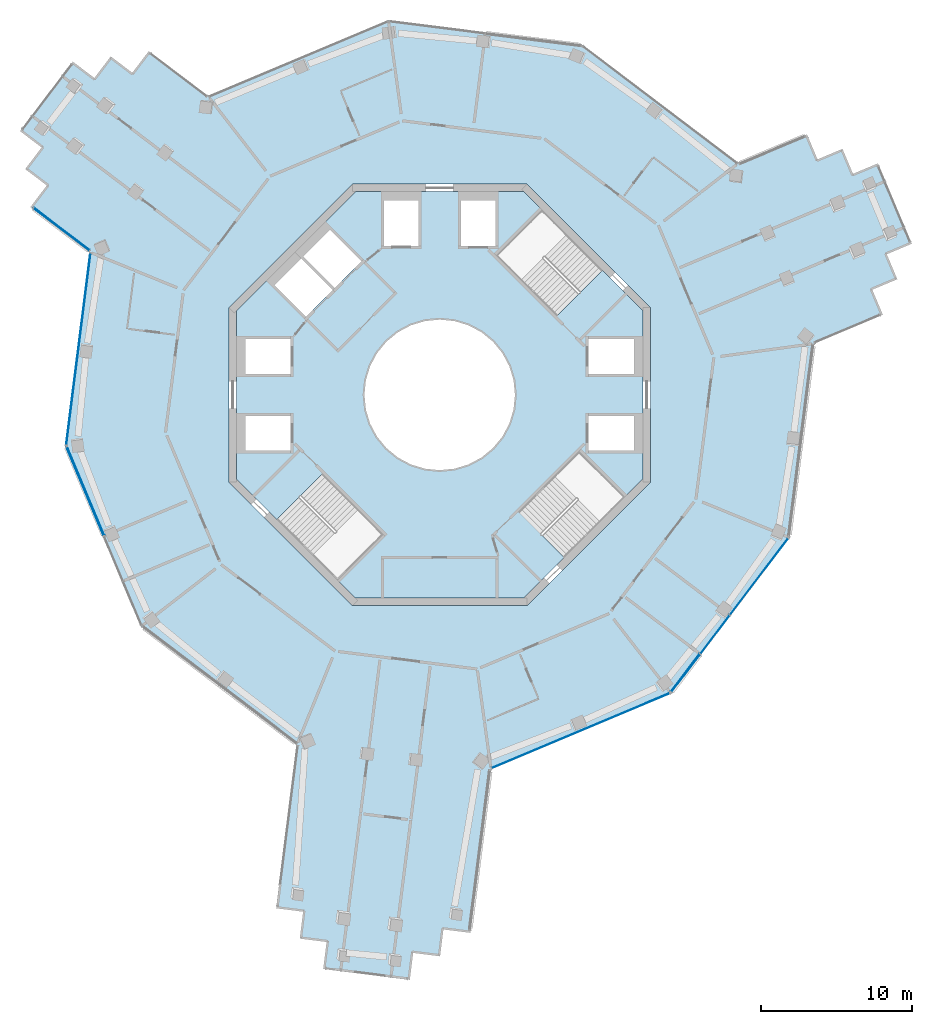
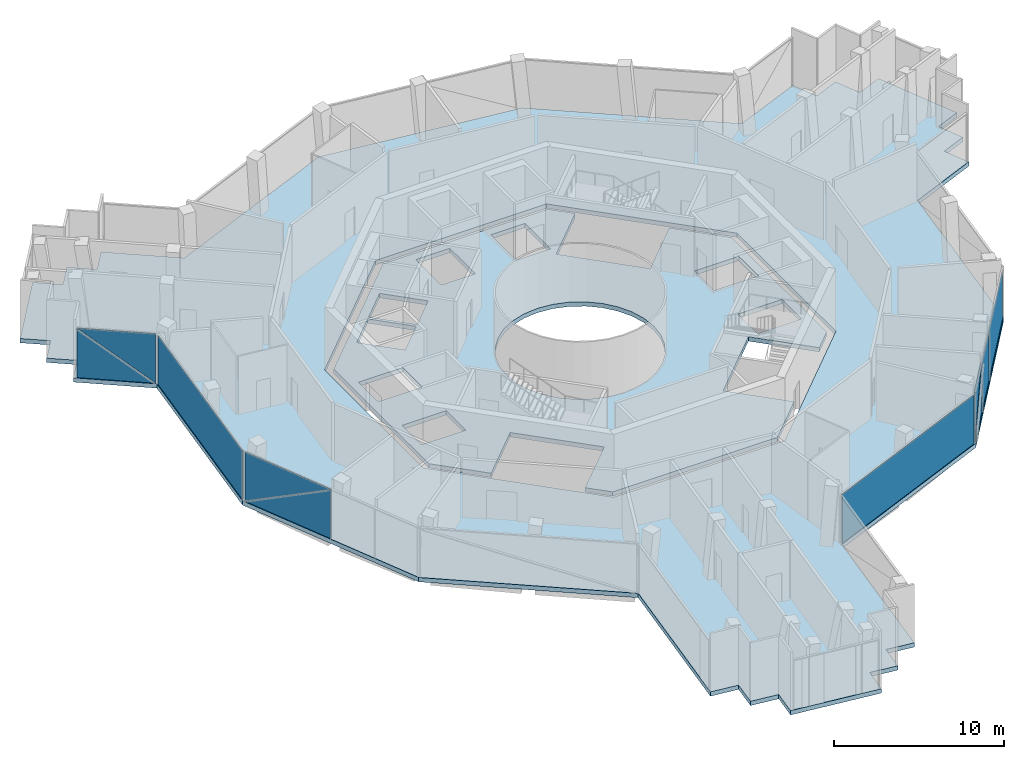
# One storey, part 10 of 18: 10 plates, 2 slabs, 5 elements without a shape of their own.
"""IFC4 building model written with IfcOpenShell, lengths in metres."""

from ifc_helpers import new_model, si_unit, direction, frame, origin, origin_2d, place, context, subcontext, project, spatial, polyline, rectangle, outline, extrude, material, layer, layer_set, type_object, element, aggregate, save


model = new_model("IFC4")

# Units and contexts
model_context = context("Model", 3, precision=1e-05, world=origin(), true_north=direction((0.0, 1.0)))
body_context = subcontext(model_context, "Body", "Model", "MODEL_VIEW")
ifc_project = project(units=[si_unit("LENGTHUNIT", "METRE"), si_unit("AREAUNIT", "SQUARE_METRE"), si_unit("VOLUMEUNIT", "CUBIC_METRE"), si_unit("PLANEANGLEUNIT", "RADIAN"), si_unit("MASSUNIT", "GRAM", prefix="KILO")], contexts=[model_context])

# Site, building, storey
site_placement = place(None, origin())
site = spatial("IfcSite", under=ifc_project, at=site_placement, CompositionType="ELEMENT")
building_placement = place(site_placement, origin())
building = spatial("IfcBuilding", under=site, at=building_placement, Name="Verdalira Terraces Hotel", CompositionType="ELEMENT")
storey_placement = place(building_placement, frame((0.0, 0.0, 248.0)))
storey = spatial("IfcBuildingStorey", under=building, at=storey_placement, Name="L61", CompositionType="ELEMENT", Elevation=248.0)

# Curtain wall, plates
ifc_material_1 = material(Name="Clear glass", Category="glass")
ifc_layer_1 = layer(ifc_material_1, 0.179931640625)
ifc_layer_set_1 = layer_set([ifc_layer_1], Name="CW4 curtain wall")
curtain_wall_type = type_object("IfcCurtainWallType", Name="CW4 curtain wall", PredefinedType="NOTDEFINED", material=ifc_layer_set_1)
curtain_wall_1_placement = place(storey_placement, origin())
curtain_wall_1 = element("IfcCurtainWall", 1, at=curtain_wall_1_placement, inside=storey, type_object=curtain_wall_type, Name="CW4 curtain wall L61 edge 10", PredefinedType="NOTDEFINED")
ifc_material_2 = material(Name="Clear glass", Category="glass")
ifc_layer_2 = layer(ifc_material_2, 0.035888671875)
ifc_layer_set_2 = layer_set([ifc_layer_2], Name="CW4 glass unit 36")
plate_type = type_object("IfcPlateType", Name="CW4 glass unit 36", PredefinedType="CURTAIN_PANEL", material=ifc_layer_set_2)
plate_1_placement = place(storey_placement, frame((-25.122803, 11.006592, 1.76001), z_axis=(-0.604599115, -0.796529918, 0.0), x_axis=(0.796529918, -0.604599115, 0.0)))
plate_1 = element("IfcPlate", 2, at=plate_1_placement, type_object=plate_type, Name="CW4 glass unit", PredefinedType="CURTAIN_PANEL", context=body_context, shape_type="SweptSolid", body=[
    extrude(outline(polyline([(-2.324707, -1.76001), (2.324707, -1.76001), (-2.324707, 1.76001), (-2.324707, -1.76001)])), origin(), (0.0, 0.0, 1.0), 0.035889),
])
plate_2_placement = place(storey_placement, frame((-25.100342, 11.036133, 1.76001), z_axis=(-0.604599115, -0.796529918, 0.0), x_axis=(0.796529918, -0.604599115, 0.0)))
plate_2 = element("IfcPlate", 3, at=plate_2_placement, type_object=plate_type, Name="CW4 glass unit", PredefinedType="CURTAIN_PANEL", context=body_context, shape_type="SweptSolid", body=[
    extrude(outline(polyline([(2.324707, -1.76001), (2.324707, 1.76001), (-2.324707, 1.76001), (2.324707, -1.76001)])), origin(), (0.0, 0.0, 1.0), 0.035889),
])
aggregate(curtain_wall_1, [plate_1, plate_2])

# Curtain wall, plate
curtain_wall_2_placement = place(storey_placement, origin())
curtain_wall_2 = element("IfcCurtainWall", 4, at=curtain_wall_2_placement, inside=storey, type_object=curtain_wall_type, Name="CW4 curtain wall L61 edge 11", PredefinedType="NOTDEFINED")
plate_3_placement = place(storey_placement, frame((-24.006104, 3.044189, 0.0), z_axis=(0.0, 0.0, 1.0), x_axis=(-0.125333234, -0.992114701, 0.0)))
plate_3 = element("IfcPlate", 5, at=plate_3_placement, type_object=plate_type, Name="CW4 glass unit", PredefinedType="CURTAIN_PANEL", context=body_context, shape_type="SweptSolid", body=[
    extrude(rectangle(XDim=12.8125, YDim=0.035889, at=origin_2d()), origin(), (0.0, 0.0, 1.0), 3.52002),
])
aggregate(curtain_wall_2, [plate_3])

# Curtain wall, plates
curtain_wall_3_placement = place(storey_placement, origin())
curtain_wall_3 = element("IfcCurtainWall", 6, at=curtain_wall_3_placement, inside=storey, type_object=curtain_wall_type, Name="CW4 curtain wall L61 edge 12", PredefinedType="NOTDEFINED")
plate_4_placement = place(storey_placement, frame((-23.536377, -6.407959, 1.76001), z_axis=(-0.921863152, -0.387515586, 0.0), x_axis=(0.387515586, -0.921863152, 0.0)))
plate_4 = element("IfcPlate", 7, at=plate_4_placement, type_object=plate_type, Name="CW4 glass unit", PredefinedType="CURTAIN_PANEL", context=body_context, shape_type="SweptSolid", body=[
    extrude(outline(polyline([(-3.181152, -1.76001), (3.181152, -1.76001), (3.181152, 1.76001), (-3.181152, -1.76001)])), origin(), (0.0, 0.0, 1.0), 0.035889),
])
plate_5_placement = place(storey_placement, frame((-23.502197, -6.393555, 1.76001), z_axis=(-0.921863152, -0.387515586, 0.0), x_axis=(0.387515586, -0.921863152, 0.0)))
plate_5 = element("IfcPlate", 8, at=plate_5_placement, type_object=plate_type, Name="CW4 glass unit", PredefinedType="CURTAIN_PANEL", context=body_context, shape_type="SweptSolid", body=[
    extrude(outline(polyline([(-3.181152, -1.76001), (3.181152, 1.76001), (-3.181152, 1.76001), (-3.181152, -1.76001)])), origin(), (0.0, 0.0, 1.0), 0.035889),
])
aggregate(curtain_wall_3, [plate_4, plate_5])

# Curtain wall, plate
curtain_wall_4_placement = place(storey_placement, origin())
curtain_wall_4 = element("IfcCurtainWall", 9, at=curtain_wall_4_placement, inside=storey, type_object=curtain_wall_type, Name="CW4 curtain wall L61 edge 25", PredefinedType="NOTDEFINED")
plate_6_placement = place(storey_placement, frame((9.366699, -22.312012, 0.0), z_axis=(0.0, 0.0, 1.0), x_axis=(0.921863152, 0.387515586, 0.0)))
plate_6 = element("IfcPlate", 10, at=plate_6_placement, type_object=plate_type, Name="CW4 glass unit", PredefinedType="CURTAIN_PANEL", context=body_context, shape_type="SweptSolid", body=[
    extrude(rectangle(XDim=12.8125, YDim=0.035889, at=origin_2d()), origin(), (0.0, 0.0, 1.0), 3.52002),
])
aggregate(curtain_wall_4, [plate_6])

# Curtain wall, plates
curtain_wall_5_placement = place(storey_placement, origin())
curtain_wall_5 = element("IfcCurtainWall", 11, at=curtain_wall_5_placement, inside=storey, type_object=curtain_wall_type, Name="CW4 curtain wall L61 edge 26", PredefinedType="NOTDEFINED")
plate_7_placement = place(storey_placement, frame((16.334961, -18.473633, 1.76001), z_axis=(0.796529918, -0.604599115, 0.0), x_axis=(0.604599115, 0.796529918, 0.0)))
plate_7 = element("IfcPlate", 12, at=plate_7_placement, type_object=plate_type, Name="CW4 glass unit", PredefinedType="CURTAIN_PANEL", context=body_context, shape_type="SweptSolid", body=[
    extrude(outline(polyline([(-1.556152, -1.76001), (1.556152, -1.76001), (1.556152, 1.76001), (-1.556152, -1.76001)])), origin(), (0.0, 0.0, 1.0), 0.035889),
])
plate_8_placement = place(storey_placement, frame((16.30542, -18.451172, 1.76001), z_axis=(0.796529918, -0.604599115, 0.0), x_axis=(0.604599115, 0.796529918, 0.0)))
plate_8 = element("IfcPlate", 13, at=plate_8_placement, type_object=plate_type, Name="CW4 glass unit", PredefinedType="CURTAIN_PANEL", context=body_context, shape_type="SweptSolid", body=[
    extrude(outline(polyline([(-1.556152, -1.76001), (1.556152, 1.76001), (-1.556152, 1.76001), (-1.556152, -1.76001)])), origin(), (0.0, 0.0, 1.0), 0.035889),
])
plate_9_placement = place(storey_placement, frame((18.292236, -15.924561, 0.0), z_axis=(0.0, 0.0, 1.0), x_axis=(0.604599115, 0.796529918, 0.0)))
plate_9 = element("IfcPlate", 14, at=plate_9_placement, type_object=plate_type, Name="CW4 glass unit", PredefinedType="CURTAIN_PANEL", context=body_context, shape_type="SweptSolid", body=[
    extrude(rectangle(XDim=3.185059, YDim=0.035889, at=origin_2d()), origin(), (0.0, 0.0, 1.0), 3.52002),
])
plate_10_placement = place(storey_placement, frame((21.217773, -12.070557, 0.0), z_axis=(0.0, 0.0, 1.0), x_axis=(0.604599115, 0.796529918, 0.0)))
plate_10 = element("IfcPlate", 15, at=plate_10_placement, type_object=plate_type, Name="CW4 glass unit", PredefinedType="CURTAIN_PANEL", context=body_context, shape_type="SweptSolid", body=[
    extrude(rectangle(XDim=6.362305, YDim=0.035889, at=origin_2d()), origin(), (0.0, 0.0, 1.0), 3.52002),
])
aggregate(curtain_wall_5, [plate_7, plate_8, plate_9, plate_10])

# Slabs
ifc_material_3 = material(Name="Concrete C40", Category="concrete")
ifc_layer_3 = layer(ifc_material_3, 0.31005859375)
ifc_layer_set_3 = layer_set([ifc_layer_3], Name="Core floor slab 310 mm")
slab_type_1 = type_object("IfcSlabType", Name="Core floor slab 310 mm", PredefinedType="FLOOR", material=ifc_layer_set_3)
slab_1_placement = place(storey_placement, frame((0.0, 0.0, -0.310059)))
element("IfcSlab", 16, at=slab_1_placement, inside=storey, type_object=slab_type_1, Name="L61 core floor", PredefinedType="FLOOR", context=body_context, shape_type="SweptSolid", body=[
    extrude(outline(polyline([(-6.77417, -12.317871), (-3.719482, -9.263184), (-7.763672, -5.21875), (-10.818359, -8.273438), (-13.5, -5.591797), (-13.5, 5.591797), (-5.591797, 13.5), (5.591797, 13.5), (6.77417, 12.317871), (3.719482, 9.263184), (7.763672, 5.21875), (10.818359, 8.273438), (13.5, 5.591797), (13.5, -5.591797), (12.317871, -6.77417), (9.263184, -3.719482), (5.21875, -7.763672), (8.273438, -10.818359), (5.591797, -13.5), (-5.591797, -13.5), (-6.77417, -12.317871)]), holes=[polyline([(9.899902, -1.399902), (9.899902, -3.699951), (12.899902, -3.699951), (12.899902, -1.399902), (9.899902, -1.399902)]), polyline([(9.899902, 3.699951), (9.899902, 1.399902), (12.899902, 1.399902), (12.899902, 3.699951), (9.899902, 3.699951)]), polyline([(3.699951, 12.899902), (1.399902, 12.899902), (1.399902, 9.899902), (3.699951, 9.899902), (3.699951, 12.899902)]), polyline([(-1.399902, 12.899902), (-3.699951, 12.899902), (-3.699951, 9.899902), (-1.399902, 9.899902), (-1.399902, 12.899902)]), polyline([(-9.899902, 1.399902), (-9.899902, 3.699951), (-12.899902, 3.699951), (-12.899902, 1.399902), (-9.899902, 1.399902)]), polyline([(-9.899902, -3.699951), (-9.899902, -1.399902), (-12.899902, -1.399902), (-12.899902, -3.699951), (-9.899902, -3.699951)]), polyline([(-9.051025, 9.192383), (-6.965088, 7.106445), (-5.197266, 8.874268), (-7.283203, 10.960205), (-9.051025, 9.192383)]), polyline([(-9.192383, 9.051025), (-10.960205, 7.283203), (-8.874268, 5.197266), (-7.106445, 6.965088), (-9.192383, 9.051025)]), polyline([(3.5354, 3.5354), (2.777832, 4.157227), (1.91333, 4.619385), (0.975586, 4.903809), (0.0, 5.0), (-0.975586, 4.903809), (-1.91333, 4.619385), (-2.777832, 4.157227), (-3.5354, 3.5354), (-4.157227, 2.777832), (-4.619385, 1.91333), (-4.903809, 0.975586), (-5.0, 0.0), (-4.903809, -0.975586), (-4.619385, -1.91333), (-4.157227, -2.777832), (-3.5354, -3.5354), (-2.777832, -4.157227), (-1.91333, -4.619385), (-0.975586, -4.903809), (0.0, -5.0), (0.975586, -4.903809), (1.91333, -4.619385), (2.777832, -4.157227), (3.5354, -3.5354), (4.157227, -2.777832), (4.619385, -1.91333), (4.903809, -0.975586), (5.0, 0.0), (4.903809, 0.975586), (4.619385, 1.91333), (4.157227, 2.777832), (3.5354, 3.5354)])]), origin(), (0.0, 0.0, 1.0), 0.310059),
])
ifc_material_4 = material(Name="Concrete C40", Category="concrete")
ifc_layer_4 = layer(ifc_material_4, 0.31005859375)
ifc_layer_set_4 = layer_set([ifc_layer_4], Name="Floor slab 310 C40")
slab_type_2 = type_object("IfcSlabType", Name="Floor slab 310 C40", PredefinedType="FLOOR", material=ifc_layer_set_4)
slab_2_placement = place(storey_placement, frame((0.0, 0.0, -0.310059)))
element("IfcSlab", 17, at=slab_2_placement, inside=storey, type_object=slab_type_2, Name="Floor slab L61", PredefinedType="FLOOR", context=body_context, shape_type="SweptSolid", body=[
    extrude(outline(polyline([(-3.408447, 24.881592), (-15.392578, 19.843994), (-19.333008, 22.834961), (-20.421387, 21.401123), (-21.85498, 22.489502), (-22.943359, 21.055908), (-24.377197, 22.144043), (-27.883789, 17.52417), (-26.450195, 16.435791), (-27.53833, 15.002197), (-26.104492, 13.913818), (-27.192871, 12.47998), (-23.252441, 9.489014), (-24.881592, -3.408447), (-19.843994, -15.392578), (-9.489014, -23.252441), (-10.861084, -34.113037), (-9.075195, -34.338623), (-9.300781, -36.124512), (-7.515137, -36.350098), (-7.740723, -38.135986), (-1.986572, -38.862793), (-1.760986, -37.077148), (0.024902, -37.302734), (0.250488, -35.516846), (2.036377, -35.742432), (3.408447, -24.881592), (15.392578, -19.843994), (23.252441, -9.489014), (24.881592, 3.408447), (29.442139, 5.325439), (28.744629, 6.984863), (30.404053, 7.682373), (29.706543, 9.341797), (31.365967, 10.039307), (29.118408, 15.385986), (27.458984, 14.688477), (26.761475, 16.3479), (25.102051, 15.650391), (24.404541, 17.309814), (19.843994, 15.392578), (9.489014, 23.252441), (-3.408447, 24.881592)]), holes=[polyline([(5.799072, 14.0), (14.0, 5.799072), (14.0, -5.799072), (5.799072, -14.0), (-5.799072, -14.0), (-14.0, -5.799072), (-14.0, 5.799072), (-5.799072, 14.0), (5.799072, 14.0)])]), origin(), (0.0, 0.0, 1.0), 0.310059),
])

save(model, "model.ifc")
